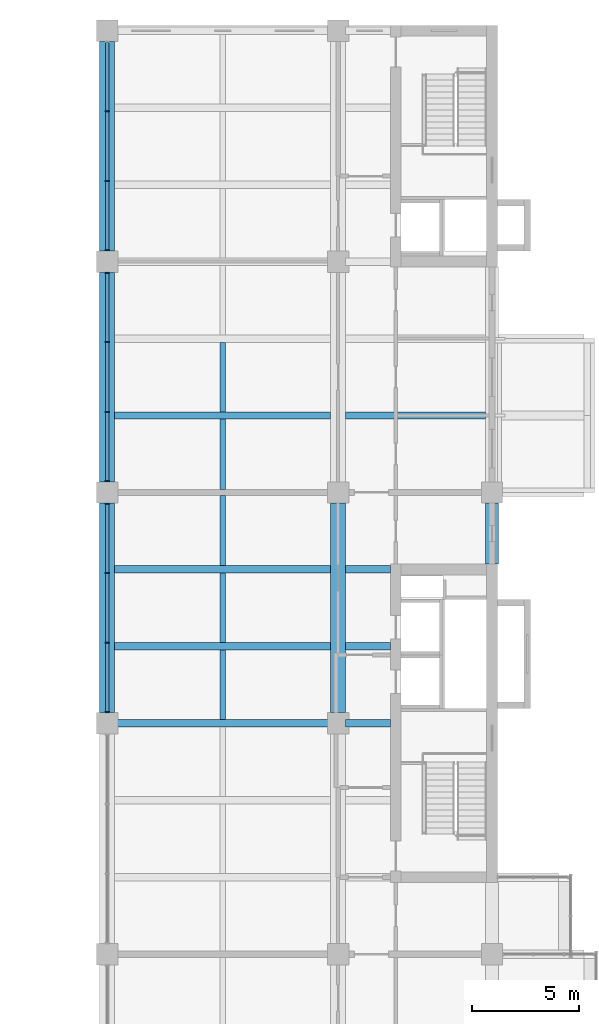
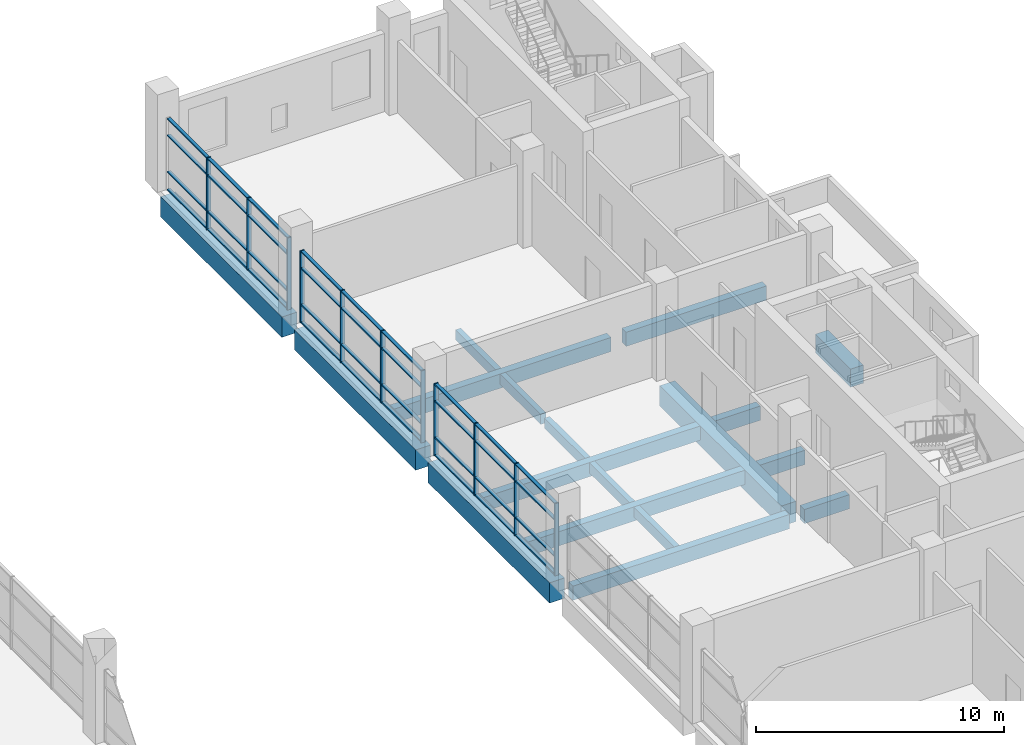
# One storey, part 11 of 30: 47 members, 18 beams, 3 elements without a shape of their own.
"""IFC4 building model written with IfcOpenShell, lengths in metres."""

from ifc_helpers import new_model, si_unit, direction, frame, origin, origin_2d, place, context, subcontext, project, spatial, rectangle, extrude, material, layer, layer_set, material_profile, profile_set, type_object, element, aggregate, save


model = new_model("IFC4")

# Units and contexts
model_context = context("Model", 3, precision=1e-05, world=origin(), true_north=direction((0.0, 1.0)))
body_context = subcontext(model_context, "Body", "Model", "MODEL_VIEW")
ifc_project = project(units=[si_unit("LENGTHUNIT", "METRE"), si_unit("AREAUNIT", "SQUARE_METRE"), si_unit("VOLUMEUNIT", "CUBIC_METRE"), si_unit("PLANEANGLEUNIT", "RADIAN"), si_unit("MASSUNIT", "GRAM", prefix="KILO")], contexts=[model_context])

# Site, building, storey
site_placement = place(None, origin())
site = spatial("IfcSite", under=ifc_project, at=site_placement, CompositionType="ELEMENT")
building_placement = place(site_placement, origin())
building = spatial("IfcBuilding", under=site, at=building_placement, Name="Basin Gate Institute", CompositionType="ELEMENT")
storey_placement = place(building_placement, frame((0.0, 0.0, 36.60009765625)))
storey = spatial("IfcBuildingStorey", under=building, at=storey_placement, Name="L07", CompositionType="ELEMENT", Elevation=36.60009765625)

# Beams
ifc_material_1 = material(Name="Concrete 40 MPa", Category="concrete")
ifc_material_profile_1 = material_profile(ifc_material_1, rectangle(XDim=0.35009765625, YDim=0.699951171875, at=origin_2d()), Name="Beam B1 350 x 700")
ifc_profile_set_1 = profile_set([ifc_material_profile_1], Name="Concrete 40 MPa")
beam_type_1 = type_object("IfcBeamType", Name="Beam B1 R120", PredefinedType="BEAM", material=ifc_profile_set_1)
beam_1_placement = place(storey_placement, frame((111.25, 67.5, -0.60009765625), z_axis=(-1.0, 0.0, 0.0), x_axis=(0.0, -1.0, 0.0)))
element("IfcBeam", 1, at=beam_1_placement, inside=storey, type_object=beam_type_1, material=ifc_profile_set_1, Name="BEAM/L07/E/EW/10", PredefinedType="BEAM", context=body_context, shape_type="SweptSolid", body=[
    extrude(rectangle(XDim=0.35009765625, YDim=0.699951171875, at=origin_2d()), origin(), (0.0, 0.0, 1.0), 10.10009765625),
])
beam_2_placement = place(storey_placement, frame((114.050048828125, 67.5, -0.60009765625), z_axis=(-1.0, 0.0, 0.0), x_axis=(0.0, -1.0, 0.0)))
element("IfcBeam", 2, at=beam_2_placement, inside=storey, type_object=beam_type_1, material=ifc_profile_set_1, Name="BEAM/L07/E/CORR/10", PredefinedType="BEAM", context=body_context, shape_type="SweptSolid", body=[
    extrude(rectangle(XDim=0.35009765625, YDim=0.699951171875, at=origin_2d()), origin(), (0.0, 0.0, 1.0), 2.10009765625),
])
beam_3_placement = place(storey_placement, frame((111.25, 71.10009765625, -0.60009765625), z_axis=(-1.0, 0.0, 0.0), x_axis=(0.0, -1.0, 0.0)))
element("IfcBeam", 3, at=beam_3_placement, inside=storey, type_object=beam_type_1, material=ifc_profile_set_1, Name="BEAM/L07/E/EW/11", PredefinedType="BEAM", context=body_context, shape_type="SweptSolid", body=[
    extrude(rectangle(XDim=0.35009765625, YDim=0.699951171875, at=origin_2d()), origin(), (0.0, 0.0, 1.0), 10.10009765625),
])
beam_4_placement = place(storey_placement, frame((114.050048828125, 71.10009765625, -0.60009765625), z_axis=(-1.0, 0.0, 0.0), x_axis=(0.0, -1.0, 0.0)))
element("IfcBeam", 4, at=beam_4_placement, inside=storey, type_object=beam_type_1, material=ifc_profile_set_1, Name="BEAM/L07/E/CORR/11", PredefinedType="BEAM", context=body_context, shape_type="SweptSolid", body=[
    extrude(rectangle(XDim=0.35009765625, YDim=0.699951171875, at=origin_2d()), origin(), (0.0, 0.0, 1.0), 2.10009765625),
])
beam_5_placement = place(storey_placement, frame((111.25, 74.699951171875, -0.60009765625), z_axis=(-1.0, 0.0, 0.0), x_axis=(0.0, -1.0, 0.0)))
element("IfcBeam", 5, at=beam_5_placement, inside=storey, type_object=beam_type_1, material=ifc_profile_set_1, Name="BEAM/L07/E/EW/12", PredefinedType="BEAM", context=body_context, shape_type="SweptSolid", body=[
    extrude(rectangle(XDim=0.35009765625, YDim=0.699951171875, at=origin_2d()), origin(), (0.0, 0.0, 1.0), 10.10009765625),
])
beam_6_placement = place(storey_placement, frame((114.050048828125, 74.699951171875, -0.60009765625), z_axis=(-1.0, 0.0, 0.0), x_axis=(0.0, -1.0, 0.0)))
element("IfcBeam", 6, at=beam_6_placement, inside=storey, type_object=beam_type_1, material=ifc_profile_set_1, Name="BEAM/L07/E/CORR/12", PredefinedType="BEAM", context=body_context, shape_type="SweptSolid", body=[
    extrude(rectangle(XDim=0.35009765625, YDim=0.699951171875, at=origin_2d()), origin(), (0.0, 0.0, 1.0), 2.10009765625),
])
beam_7_placement = place(storey_placement, frame((111.25, 81.89990234375, -0.60009765625), z_axis=(-1.0, 0.0, 0.0), x_axis=(0.0, -1.0, 0.0)))
element("IfcBeam", 7, at=beam_7_placement, inside=storey, type_object=beam_type_1, material=ifc_profile_set_1, Name="BEAM/L07/E/EW/14", PredefinedType="BEAM", context=body_context, shape_type="SweptSolid", body=[
    extrude(rectangle(XDim=0.35009765625, YDim=0.699951171875, at=origin_2d()), origin(), (0.0, 0.0, 1.0), 10.10009765625),
])
beam_8_placement = place(storey_placement, frame((118.5, 81.89990234375, -0.60009765625), z_axis=(-1.0, 0.0, 0.0), x_axis=(0.0, -1.0, 0.0)))
element("IfcBeam", 8, at=beam_8_placement, inside=storey, type_object=beam_type_1, material=ifc_profile_set_1, Name="BEAM/L07/E/OUT/14", PredefinedType="BEAM", context=body_context, shape_type="SweptSolid", body=[
    extrude(rectangle(XDim=0.35009765625, YDim=0.699951171875, at=origin_2d()), origin(), (0.0, 0.0, 1.0), 6.550048828125),
])
ifc_material_2 = material(Name="Concrete 50 MPa", Category="concrete")
ifc_material_profile_2 = material_profile(ifc_material_2, rectangle(XDim=0.60009765625, YDim=0.89990234375, at=origin_2d()), Name="Edge return beam EB3 600 x 900")
ifc_profile_set_2 = profile_set([ifc_material_profile_2], Name="Concrete 50 MPa")
beam_type_2 = type_object("IfcBeamType", Name="Edge return beam EB3 R120", PredefinedType="SPANDREL", material=ifc_profile_set_2)
beam_9_placement = place(storey_placement, frame((118.800048828125, 74.949951171875, -0.7001953125), z_axis=(0.0, 1.0, 0.0), x_axis=(-1.0, 0.0, 0.0)))
element("IfcBeam", 9, at=beam_9_placement, inside=storey, type_object=beam_type_2, material=ifc_profile_set_2, Name="BEAM/L07/E/EDGE/3", PredefinedType="SPANDREL", context=body_context, shape_type="SweptSolid", body=[
    extrude(rectangle(XDim=0.60009765625, YDim=0.89990234375, at=origin_2d()), origin(), (0.0, 0.0, 1.0), 2.85009765625),
])
ifc_material_3 = material(Name="Concrete 50 MPa", Category="concrete")
ifc_material_profile_3 = material_profile(ifc_material_3, rectangle(XDim=0.699951171875, YDim=1.0, at=origin_2d()), Name="Girder G1 700 x 1000")
ifc_profile_set_3 = profile_set([ifc_material_profile_3], Name="Concrete 50 MPa")
beam_type_3 = type_object("IfcBeamType", Name="Girder G1 R120", PredefinedType="BEAM", material=ifc_profile_set_3)
for number, where, z_axis, x_axis, name in (
    (10, (111.60009765625, 68.0, -0.75), (0.0, 1.0, 0.0), (-1.0, 0.0, 0.0), "GIR/L07/E8/4"),
    (11, (100.800048828125, 68.0, -0.75), (0.0, 1.0, 0.0), (-1.0, 0.0, 0.0), "GIR/L07/E7/4"),
    (12, (100.800048828125, 78.800048828125, -0.75), (0.0, 1.0, 0.0), (-1.0, 0.0, 0.0), "GIR/L07/E7/5"),
):
    element("IfcBeam", number, at=place(storey_placement, frame(where, z_axis=z_axis, x_axis=x_axis)), inside=storey, type_object=beam_type_3, material=ifc_profile_set_3, Name=name, PredefinedType="BEAM", context=body_context, shape_type="SweptSolid", body=[
        extrude(rectangle(XDim=0.699951171875, YDim=1.0, at=origin_2d()), origin(), (0.0, 0.0, 1.0), 9.800048828125),
    ])
beam_10_placement = place(storey_placement, frame((100.800048828125, 89.60009765625, -0.75), z_axis=(0.0, 1.0, 0.0), x_axis=(-1.0, 0.0, 0.0)))
element("IfcBeam", 13, at=beam_10_placement, inside=storey, type_object=beam_type_3, material=ifc_profile_set_3, Name="GIR/L07/E7/6", PredefinedType="BEAM", context=body_context, shape_type="SweptSolid", body=[
    extrude(rectangle(XDim=0.699951171875, YDim=1.0, at=origin_2d()), origin(), (0.0, 0.0, 1.0), 9.7998046875),
])

# Curtain wall, members
ifc_material_4 = material(Name="Aluminium-framed glazing", Category="aluminium")
ifc_layer = layer(ifc_material_4, 0.199951171875)
ifc_layer_set = layer_set([ifc_layer], Name="Atrium curtain wall CW2")
curtain_wall_type = type_object("IfcCurtainWallType", Name="Atrium curtain wall CW2", PredefinedType="NOTDEFINED", material=ifc_layer_set)
curtain_wall_1_placement = place(storey_placement, origin())
curtain_wall_1 = element("IfcCurtainWall", 14, at=curtain_wall_1_placement, inside=storey, type_object=curtain_wall_type, material=ifc_layer_set, Name="Atrium curtain wall E wing atrium bay 4 L07", PredefinedType="NOTDEFINED")
ifc_material_5 = material(Name="Aluminium", Category="aluminium")
ifc_material_profile_4 = material_profile(ifc_material_5, rectangle(XDim=0.199951171875, YDim=0.06005859375, at=origin_2d()), Name="Mullion MU2 200 x 60")
ifc_profile_set_4 = profile_set([ifc_material_profile_4], Name="Aluminium")
member_type_1 = type_object("IfcMemberType", Name="Mullion MU2", PredefinedType="MULLION", material=ifc_profile_set_4)
member_1_placement = place(storey_placement, frame((100.800048828125, 68.030029296875, 0.0), z_axis=(0.0, 0.0, 1.0), x_axis=(-1.0, 0.0, 0.0)))
member_1 = element("IfcMember", 15, at=member_1_placement, type_object=member_type_1, material=ifc_profile_set_4, Name="CW2 mullion 1", PredefinedType="MULLION", context=body_context, shape_type="SweptSolid", body=[
    extrude(rectangle(XDim=0.199951171875, YDim=0.06005859375, at=origin_2d()), origin(), (0.0, 0.0, 1.0), 3.5498046875),
])
member_2_placement = place(storey_placement, frame((100.800048828125, 71.2666015625, 0.0), z_axis=(0.0, 0.0, 1.0), x_axis=(-1.0, 0.0, 0.0)))
member_2 = element("IfcMember", 16, at=member_2_placement, type_object=member_type_1, material=ifc_profile_set_4, Name="CW2 mullion 2", PredefinedType="MULLION", context=body_context, shape_type="SweptSolid", body=[
    extrude(rectangle(XDim=0.199951171875, YDim=0.06005859375, at=origin_2d()), origin(), (0.0, 0.0, 1.0), 3.5498046875),
])
member_3_placement = place(storey_placement, frame((100.800048828125, 74.533447265625, 0.0), z_axis=(0.0, 0.0, 1.0), x_axis=(-1.0, 0.0, 0.0)))
member_3 = element("IfcMember", 17, at=member_3_placement, type_object=member_type_1, material=ifc_profile_set_4, Name="CW2 mullion 3", PredefinedType="MULLION", context=body_context, shape_type="SweptSolid", body=[
    extrude(rectangle(XDim=0.199951171875, YDim=0.06005859375, at=origin_2d()), origin(), (0.0, 0.0, 1.0), 3.5498046875),
])
member_4_placement = place(storey_placement, frame((100.800048828125, 77.77001953125, 0.0), z_axis=(0.0, 0.0, 1.0), x_axis=(-1.0, 0.0, 0.0)))
member_4 = element("IfcMember", 18, at=member_4_placement, type_object=member_type_1, material=ifc_profile_set_4, Name="CW2 mullion 4", PredefinedType="MULLION", context=body_context, shape_type="SweptSolid", body=[
    extrude(rectangle(XDim=0.199951171875, YDim=0.06005859375, at=origin_2d()), origin(), (0.0, 0.0, 1.0), 3.5498046875),
])

curtain_wall_2_placement = place(storey_placement, origin())
curtain_wall_2 = element("IfcCurtainWall", 19, at=curtain_wall_2_placement, inside=storey, type_object=curtain_wall_type, material=ifc_layer_set, Name="Atrium curtain wall E wing atrium bay 5 L07", PredefinedType="NOTDEFINED")
member_5_placement = place(storey_placement, frame((100.800048828125, 78.830078125, 0.0), z_axis=(0.0, 0.0, 1.0), x_axis=(-1.0, 0.0, 0.0)))
member_5 = element("IfcMember", 20, at=member_5_placement, type_object=member_type_1, material=ifc_profile_set_4, Name="CW2 mullion 1", PredefinedType="MULLION", context=body_context, shape_type="SweptSolid", body=[
    extrude(rectangle(XDim=0.199951171875, YDim=0.06005859375, at=origin_2d()), origin(), (0.0, 0.0, 1.0), 3.5498046875),
])
member_6_placement = place(storey_placement, frame((100.800048828125, 82.066650390625, 0.0), z_axis=(0.0, 0.0, 1.0), x_axis=(-1.0, 0.0, 0.0)))
member_6 = element("IfcMember", 21, at=member_6_placement, type_object=member_type_1, material=ifc_profile_set_4, Name="CW2 mullion 2", PredefinedType="MULLION", context=body_context, shape_type="SweptSolid", body=[
    extrude(rectangle(XDim=0.199951171875, YDim=0.06005859375, at=origin_2d()), origin(), (0.0, 0.0, 1.0), 3.5498046875),
])
member_7_placement = place(storey_placement, frame((100.800048828125, 85.333251953125, 0.0), z_axis=(0.0, 0.0, 1.0), x_axis=(-1.0, 0.0, 0.0)))
member_7 = element("IfcMember", 22, at=member_7_placement, type_object=member_type_1, material=ifc_profile_set_4, Name="CW2 mullion 3", PredefinedType="MULLION", context=body_context, shape_type="SweptSolid", body=[
    extrude(rectangle(XDim=0.199951171875, YDim=0.06005859375, at=origin_2d()), origin(), (0.0, 0.0, 1.0), 3.5498046875),
])
member_8_placement = place(storey_placement, frame((100.800048828125, 88.570068359375, 0.0), z_axis=(0.0, 0.0, 1.0), x_axis=(-1.0, 0.0, 0.0)))
member_8 = element("IfcMember", 23, at=member_8_placement, type_object=member_type_1, material=ifc_profile_set_4, Name="CW2 mullion 4", PredefinedType="MULLION", context=body_context, shape_type="SweptSolid", body=[
    extrude(rectangle(XDim=0.199951171875, YDim=0.06005859375, at=origin_2d()), origin(), (0.0, 0.0, 1.0), 3.5498046875),
])

curtain_wall_3_placement = place(storey_placement, origin())
curtain_wall_3 = element("IfcCurtainWall", 24, at=curtain_wall_3_placement, inside=storey, type_object=curtain_wall_type, material=ifc_layer_set, Name="Atrium curtain wall E wing atrium bay 6 L07", PredefinedType="NOTDEFINED")
member_9_placement = place(storey_placement, frame((100.800048828125, 89.6298828125, 0.0), z_axis=(0.0, 0.0, 1.0), x_axis=(-1.0, 0.0, 0.0)))
member_9 = element("IfcMember", 25, at=member_9_placement, type_object=member_type_1, material=ifc_profile_set_4, Name="CW2 mullion 1", PredefinedType="MULLION", context=body_context, shape_type="SweptSolid", body=[
    extrude(rectangle(XDim=0.199951171875, YDim=0.06005859375, at=origin_2d()), origin(), (0.0, 0.0, 1.0), 3.5498046875),
])
member_10_placement = place(storey_placement, frame((100.800048828125, 92.86669921875, 0.0), z_axis=(0.0, 0.0, 1.0), x_axis=(-1.0, 0.0, 0.0)))
member_10 = element("IfcMember", 26, at=member_10_placement, type_object=member_type_1, material=ifc_profile_set_4, Name="CW2 mullion 2", PredefinedType="MULLION", context=body_context, shape_type="SweptSolid", body=[
    extrude(rectangle(XDim=0.199951171875, YDim=0.06005859375, at=origin_2d()), origin(), (0.0, 0.0, 1.0), 3.5498046875),
])
member_11_placement = place(storey_placement, frame((100.800048828125, 96.13330078125, 0.0), z_axis=(0.0, 0.0, 1.0), x_axis=(-1.0, 0.0, 0.0)))
member_11 = element("IfcMember", 27, at=member_11_placement, type_object=member_type_1, material=ifc_profile_set_4, Name="CW2 mullion 3", PredefinedType="MULLION", context=body_context, shape_type="SweptSolid", body=[
    extrude(rectangle(XDim=0.199951171875, YDim=0.06005859375, at=origin_2d()), origin(), (0.0, 0.0, 1.0), 3.5498046875),
])

# Beams
ifc_material_6 = material(Name="Concrete 40 MPa", Category="concrete")
ifc_material_profile_5 = material_profile(ifc_material_6, rectangle(XDim=0.25, YDim=0.5, at=origin_2d()), Name="Rib R1 250 x 500")
ifc_profile_set_5 = profile_set([ifc_material_profile_5], Name="Concrete 40 MPa")
beam_type_4 = type_object("IfcBeamType", Name="Rib R1 R120", PredefinedType="JOIST", material=ifc_profile_set_5)
for number, where, z_axis, x_axis, name in (
    (28, (106.199951171875, 67.675048828125, -0.5), (0.0, 1.0, 0.0), (-1.0, 0.0, 0.0), "BEAM/L07/E/RIB/10"),
    (29, (106.199951171875, 71.27490234375, -0.5), (0.0, 1.0, 0.0), (-1.0, 0.0, 0.0), "BEAM/L07/E/RIB/11"),
):
    element("IfcBeam", number, at=place(storey_placement, frame(where, z_axis=z_axis, x_axis=x_axis)), inside=storey, type_object=beam_type_4, material=ifc_profile_set_5, Name=name, PredefinedType="JOIST", context=body_context, shape_type="SweptSolid", body=[
        extrude(rectangle(XDim=0.25, YDim=0.5, at=origin_2d()), origin(), (0.0, 0.0, 1.0), 3.25),
    ])
beam_11_placement = place(storey_placement, frame((106.199951171875, 74.875, -0.5), z_axis=(0.0, 1.0, 0.0), x_axis=(-1.0, 0.0, 0.0)))
element("IfcBeam", 30, at=beam_11_placement, inside=storey, type_object=beam_type_4, material=ifc_profile_set_5, Name="BEAM/L07/E/RIB/12", PredefinedType="JOIST", context=body_context, shape_type="SweptSolid", body=[
    extrude(rectangle(XDim=0.25, YDim=0.5, at=origin_2d()), origin(), (0.0, 0.0, 1.0), 3.27490234375),
])
beam_12_placement = place(storey_placement, frame((106.199951171875, 78.449951171875, -0.5), z_axis=(0.0, 1.0, 0.0), x_axis=(-1.0, 0.0, 0.0)))
element("IfcBeam", 31, at=beam_12_placement, inside=storey, type_object=beam_type_4, material=ifc_profile_set_5, Name="BEAM/L07/E/RIB/13", PredefinedType="JOIST", context=body_context, shape_type="SweptSolid", body=[
    extrude(rectangle(XDim=0.25, YDim=0.5, at=origin_2d()), origin(), (0.0, 0.0, 1.0), 3.275146484375),
])
beam_13_placement = place(storey_placement, frame((106.199951171875, 82.074951171875, -0.5), z_axis=(0.0, 1.0, 0.0), x_axis=(-1.0, 0.0, 0.0)))
element("IfcBeam", 32, at=beam_13_placement, inside=storey, type_object=beam_type_4, material=ifc_profile_set_5, Name="BEAM/L07/E/RIB/14", PredefinedType="JOIST", context=body_context, shape_type="SweptSolid", body=[
    extrude(rectangle(XDim=0.25, YDim=0.5, at=origin_2d()), origin(), (0.0, 0.0, 1.0), 3.25),
])

# Member
ifc_material_7 = material(Name="Aluminium", Category="aluminium")
ifc_material_profile_6 = material_profile(ifc_material_7, rectangle(XDim=0.14990234375, YDim=0.06005859375, at=origin_2d()), Name="Transom TR2 150 x 60")
ifc_profile_set_6 = profile_set([ifc_material_profile_6], Name="Aluminium")
member_type_2 = type_object("IfcMemberType", Name="Transom TR2", PredefinedType="USERDEFINED", material=ifc_profile_set_6)
member_12_placement = place(storey_placement, frame((100.800048828125, 68.06005859375, 0.02978515625), z_axis=(0.0, 1.0, 0.0), x_axis=(-1.0, 0.0, 0.0)))
member_12 = element("IfcMember", 33, at=member_12_placement, type_object=member_type_2, material=ifc_profile_set_6, Name="CW2 transom 1.1", ObjectType="TRANSOM", PredefinedType="USERDEFINED", context=body_context, shape_type="SweptSolid", body=[
    extrude(rectangle(XDim=0.14990234375, YDim=0.06005859375, at=origin_2d()), origin(), (0.0, 0.0, 1.0), 3.176513671875),
])

member_13_placement = place(storey_placement, frame((100.800048828125, 68.06005859375, 0.89990234375), z_axis=(0.0, 1.0, 0.0), x_axis=(-1.0, 0.0, 0.0)))
member_13 = element("IfcMember", 34, at=member_13_placement, type_object=member_type_2, material=ifc_profile_set_6, Name="CW2 transom 1.2", ObjectType="TRANSOM", PredefinedType="USERDEFINED", context=body_context, shape_type="SweptSolid", body=[
    extrude(rectangle(XDim=0.14990234375, YDim=0.06005859375, at=origin_2d()), origin(), (0.0, 0.0, 1.0), 3.176513671875),
])

member_14_placement = place(storey_placement, frame((100.800048828125, 68.06005859375, 2.699951171875), z_axis=(0.0, 1.0, 0.0), x_axis=(-1.0, 0.0, 0.0)))
member_14 = element("IfcMember", 35, at=member_14_placement, type_object=member_type_2, material=ifc_profile_set_6, Name="CW2 transom 1.3", ObjectType="TRANSOM", PredefinedType="USERDEFINED", context=body_context, shape_type="SweptSolid", body=[
    extrude(rectangle(XDim=0.14990234375, YDim=0.06005859375, at=origin_2d()), origin(), (0.0, 0.0, 1.0), 3.176513671875),
])

member_15_placement = place(storey_placement, frame((100.800048828125, 68.06005859375, 3.52001953125), z_axis=(0.0, 1.0, 0.0), x_axis=(-1.0, 0.0, 0.0)))
member_15 = element("IfcMember", 36, at=member_15_placement, type_object=member_type_2, material=ifc_profile_set_6, Name="CW2 transom 1.4", ObjectType="TRANSOM", PredefinedType="USERDEFINED", context=body_context, shape_type="SweptSolid", body=[
    extrude(rectangle(XDim=0.14990234375, YDim=0.06005859375, at=origin_2d()), origin(), (0.0, 0.0, 1.0), 3.176513671875),
])

member_16_placement = place(storey_placement, frame((100.800048828125, 71.296630859375, 0.02978515625), z_axis=(0.0, 1.0, 0.0), x_axis=(-1.0, 0.0, 0.0)))
member_16 = element("IfcMember", 37, at=member_16_placement, type_object=member_type_2, material=ifc_profile_set_6, Name="CW2 transom 2.1", ObjectType="TRANSOM", PredefinedType="USERDEFINED", context=body_context, shape_type="SweptSolid", body=[
    extrude(rectangle(XDim=0.14990234375, YDim=0.06005859375, at=origin_2d()), origin(), (0.0, 0.0, 1.0), 3.206787109375),
])

member_17_placement = place(storey_placement, frame((100.800048828125, 71.296630859375, 0.89990234375), z_axis=(0.0, 1.0, 0.0), x_axis=(-1.0, 0.0, 0.0)))
member_17 = element("IfcMember", 38, at=member_17_placement, type_object=member_type_2, material=ifc_profile_set_6, Name="CW2 transom 2.2", ObjectType="TRANSOM", PredefinedType="USERDEFINED", context=body_context, shape_type="SweptSolid", body=[
    extrude(rectangle(XDim=0.14990234375, YDim=0.06005859375, at=origin_2d()), origin(), (0.0, 0.0, 1.0), 3.206787109375),
])

member_18_placement = place(storey_placement, frame((100.800048828125, 71.296630859375, 2.699951171875), z_axis=(0.0, 1.0, 0.0), x_axis=(-1.0, 0.0, 0.0)))
member_18 = element("IfcMember", 39, at=member_18_placement, type_object=member_type_2, material=ifc_profile_set_6, Name="CW2 transom 2.3", ObjectType="TRANSOM", PredefinedType="USERDEFINED", context=body_context, shape_type="SweptSolid", body=[
    extrude(rectangle(XDim=0.14990234375, YDim=0.06005859375, at=origin_2d()), origin(), (0.0, 0.0, 1.0), 3.206787109375),
])

member_19_placement = place(storey_placement, frame((100.800048828125, 71.296630859375, 3.52001953125), z_axis=(0.0, 1.0, 0.0), x_axis=(-1.0, 0.0, 0.0)))
member_19 = element("IfcMember", 40, at=member_19_placement, type_object=member_type_2, material=ifc_profile_set_6, Name="CW2 transom 2.4", ObjectType="TRANSOM", PredefinedType="USERDEFINED", context=body_context, shape_type="SweptSolid", body=[
    extrude(rectangle(XDim=0.14990234375, YDim=0.06005859375, at=origin_2d()), origin(), (0.0, 0.0, 1.0), 3.206787109375),
])

member_20_placement = place(storey_placement, frame((100.800048828125, 74.563232421875, 0.02978515625), z_axis=(0.0, 1.0, 0.0), x_axis=(-1.0, 0.0, 0.0)))
member_20 = element("IfcMember", 41, at=member_20_placement, type_object=member_type_2, material=ifc_profile_set_6, Name="CW2 transom 3.1", ObjectType="TRANSOM", PredefinedType="USERDEFINED", context=body_context, shape_type="SweptSolid", body=[
    extrude(rectangle(XDim=0.14990234375, YDim=0.06005859375, at=origin_2d()), origin(), (0.0, 0.0, 1.0), 3.1767578125),
])

member_21_placement = place(storey_placement, frame((100.800048828125, 74.563232421875, 0.89990234375), z_axis=(0.0, 1.0, 0.0), x_axis=(-1.0, 0.0, 0.0)))
member_21 = element("IfcMember", 42, at=member_21_placement, type_object=member_type_2, material=ifc_profile_set_6, Name="CW2 transom 3.2", ObjectType="TRANSOM", PredefinedType="USERDEFINED", context=body_context, shape_type="SweptSolid", body=[
    extrude(rectangle(XDim=0.14990234375, YDim=0.06005859375, at=origin_2d()), origin(), (0.0, 0.0, 1.0), 3.1767578125),
])

member_22_placement = place(storey_placement, frame((100.800048828125, 74.563232421875, 2.699951171875), z_axis=(0.0, 1.0, 0.0), x_axis=(-1.0, 0.0, 0.0)))
member_22 = element("IfcMember", 43, at=member_22_placement, type_object=member_type_2, material=ifc_profile_set_6, Name="CW2 transom 3.3", ObjectType="TRANSOM", PredefinedType="USERDEFINED", context=body_context, shape_type="SweptSolid", body=[
    extrude(rectangle(XDim=0.14990234375, YDim=0.06005859375, at=origin_2d()), origin(), (0.0, 0.0, 1.0), 3.1767578125),
])

member_23_placement = place(storey_placement, frame((100.800048828125, 74.563232421875, 3.52001953125), z_axis=(0.0, 1.0, 0.0), x_axis=(-1.0, 0.0, 0.0)))
member_23 = element("IfcMember", 44, at=member_23_placement, type_object=member_type_2, material=ifc_profile_set_6, Name="CW2 transom 3.4", ObjectType="TRANSOM", PredefinedType="USERDEFINED", context=body_context, shape_type="SweptSolid", body=[
    extrude(rectangle(XDim=0.14990234375, YDim=0.06005859375, at=origin_2d()), origin(), (0.0, 0.0, 1.0), 3.1767578125),
])

aggregate(curtain_wall_1, [member_1, member_2, member_3, member_4, member_12, member_13, member_14, member_15, member_16, member_17, member_18, member_19, member_20, member_21, member_22, member_23])

member_24_placement = place(storey_placement, frame((100.800048828125, 78.860107421875, 0.02978515625), z_axis=(0.0, 1.0, 0.0), x_axis=(-1.0, 0.0, 0.0)))
member_24 = element("IfcMember", 45, at=member_24_placement, type_object=member_type_2, material=ifc_profile_set_6, Name="CW2 transom 1.1", ObjectType="TRANSOM", PredefinedType="USERDEFINED", context=body_context, shape_type="SweptSolid", body=[
    extrude(rectangle(XDim=0.14990234375, YDim=0.06005859375, at=origin_2d()), origin(), (0.0, 0.0, 1.0), 3.176513671875),
])

member_25_placement = place(storey_placement, frame((100.800048828125, 78.860107421875, 0.89990234375), z_axis=(0.0, 1.0, 0.0), x_axis=(-1.0, 0.0, 0.0)))
member_25 = element("IfcMember", 46, at=member_25_placement, type_object=member_type_2, material=ifc_profile_set_6, Name="CW2 transom 1.2", ObjectType="TRANSOM", PredefinedType="USERDEFINED", context=body_context, shape_type="SweptSolid", body=[
    extrude(rectangle(XDim=0.14990234375, YDim=0.06005859375, at=origin_2d()), origin(), (0.0, 0.0, 1.0), 3.176513671875),
])

member_26_placement = place(storey_placement, frame((100.800048828125, 78.860107421875, 2.699951171875), z_axis=(0.0, 1.0, 0.0), x_axis=(-1.0, 0.0, 0.0)))
member_26 = element("IfcMember", 47, at=member_26_placement, type_object=member_type_2, material=ifc_profile_set_6, Name="CW2 transom 1.3", ObjectType="TRANSOM", PredefinedType="USERDEFINED", context=body_context, shape_type="SweptSolid", body=[
    extrude(rectangle(XDim=0.14990234375, YDim=0.06005859375, at=origin_2d()), origin(), (0.0, 0.0, 1.0), 3.176513671875),
])

member_27_placement = place(storey_placement, frame((100.800048828125, 78.860107421875, 3.52001953125), z_axis=(0.0, 1.0, 0.0), x_axis=(-1.0, 0.0, 0.0)))
member_27 = element("IfcMember", 48, at=member_27_placement, type_object=member_type_2, material=ifc_profile_set_6, Name="CW2 transom 1.4", ObjectType="TRANSOM", PredefinedType="USERDEFINED", context=body_context, shape_type="SweptSolid", body=[
    extrude(rectangle(XDim=0.14990234375, YDim=0.06005859375, at=origin_2d()), origin(), (0.0, 0.0, 1.0), 3.176513671875),
])

member_28_placement = place(storey_placement, frame((100.800048828125, 82.0966796875, 0.02978515625), z_axis=(0.0, 1.0, 0.0), x_axis=(-1.0, 0.0, 0.0)))
member_28 = element("IfcMember", 49, at=member_28_placement, type_object=member_type_2, material=ifc_profile_set_6, Name="CW2 transom 2.1", ObjectType="TRANSOM", PredefinedType="USERDEFINED", context=body_context, shape_type="SweptSolid", body=[
    extrude(rectangle(XDim=0.14990234375, YDim=0.06005859375, at=origin_2d()), origin(), (0.0, 0.0, 1.0), 3.20654296875),
])

member_29_placement = place(storey_placement, frame((100.800048828125, 82.0966796875, 0.89990234375), z_axis=(0.0, 1.0, 0.0), x_axis=(-1.0, 0.0, 0.0)))
member_29 = element("IfcMember", 50, at=member_29_placement, type_object=member_type_2, material=ifc_profile_set_6, Name="CW2 transom 2.2", ObjectType="TRANSOM", PredefinedType="USERDEFINED", context=body_context, shape_type="SweptSolid", body=[
    extrude(rectangle(XDim=0.14990234375, YDim=0.06005859375, at=origin_2d()), origin(), (0.0, 0.0, 1.0), 3.20654296875),
])

member_30_placement = place(storey_placement, frame((100.800048828125, 82.0966796875, 2.699951171875), z_axis=(0.0, 1.0, 0.0), x_axis=(-1.0, 0.0, 0.0)))
member_30 = element("IfcMember", 51, at=member_30_placement, type_object=member_type_2, material=ifc_profile_set_6, Name="CW2 transom 2.3", ObjectType="TRANSOM", PredefinedType="USERDEFINED", context=body_context, shape_type="SweptSolid", body=[
    extrude(rectangle(XDim=0.14990234375, YDim=0.06005859375, at=origin_2d()), origin(), (0.0, 0.0, 1.0), 3.20654296875),
])

member_31_placement = place(storey_placement, frame((100.800048828125, 82.0966796875, 3.52001953125), z_axis=(0.0, 1.0, 0.0), x_axis=(-1.0, 0.0, 0.0)))
member_31 = element("IfcMember", 52, at=member_31_placement, type_object=member_type_2, material=ifc_profile_set_6, Name="CW2 transom 2.4", ObjectType="TRANSOM", PredefinedType="USERDEFINED", context=body_context, shape_type="SweptSolid", body=[
    extrude(rectangle(XDim=0.14990234375, YDim=0.06005859375, at=origin_2d()), origin(), (0.0, 0.0, 1.0), 3.20654296875),
])

member_32_placement = place(storey_placement, frame((100.800048828125, 85.36328125, 0.02978515625), z_axis=(0.0, 1.0, 0.0), x_axis=(-1.0, 0.0, 0.0)))
member_32 = element("IfcMember", 53, at=member_32_placement, type_object=member_type_2, material=ifc_profile_set_6, Name="CW2 transom 3.1", ObjectType="TRANSOM", PredefinedType="USERDEFINED", context=body_context, shape_type="SweptSolid", body=[
    extrude(rectangle(XDim=0.14990234375, YDim=0.06005859375, at=origin_2d()), origin(), (0.0, 0.0, 1.0), 3.1767578125),
])

member_33_placement = place(storey_placement, frame((100.800048828125, 85.36328125, 0.89990234375), z_axis=(0.0, 1.0, 0.0), x_axis=(-1.0, 0.0, 0.0)))
member_33 = element("IfcMember", 54, at=member_33_placement, type_object=member_type_2, material=ifc_profile_set_6, Name="CW2 transom 3.2", ObjectType="TRANSOM", PredefinedType="USERDEFINED", context=body_context, shape_type="SweptSolid", body=[
    extrude(rectangle(XDim=0.14990234375, YDim=0.06005859375, at=origin_2d()), origin(), (0.0, 0.0, 1.0), 3.1767578125),
])

member_34_placement = place(storey_placement, frame((100.800048828125, 85.36328125, 2.699951171875), z_axis=(0.0, 1.0, 0.0), x_axis=(-1.0, 0.0, 0.0)))
member_34 = element("IfcMember", 55, at=member_34_placement, type_object=member_type_2, material=ifc_profile_set_6, Name="CW2 transom 3.3", ObjectType="TRANSOM", PredefinedType="USERDEFINED", context=body_context, shape_type="SweptSolid", body=[
    extrude(rectangle(XDim=0.14990234375, YDim=0.06005859375, at=origin_2d()), origin(), (0.0, 0.0, 1.0), 3.1767578125),
])

member_35_placement = place(storey_placement, frame((100.800048828125, 85.36328125, 3.52001953125), z_axis=(0.0, 1.0, 0.0), x_axis=(-1.0, 0.0, 0.0)))
member_35 = element("IfcMember", 56, at=member_35_placement, type_object=member_type_2, material=ifc_profile_set_6, Name="CW2 transom 3.4", ObjectType="TRANSOM", PredefinedType="USERDEFINED", context=body_context, shape_type="SweptSolid", body=[
    extrude(rectangle(XDim=0.14990234375, YDim=0.06005859375, at=origin_2d()), origin(), (0.0, 0.0, 1.0), 3.1767578125),
])

aggregate(curtain_wall_2, [member_5, member_6, member_7, member_8, member_24, member_25, member_26, member_27, member_28, member_29, member_30, member_31, member_32, member_33, member_34, member_35])

member_36_placement = place(storey_placement, frame((100.800048828125, 89.659912109375, 0.02978515625), z_axis=(0.0, 1.0, 0.0), x_axis=(-1.0, 0.0, 0.0)))
member_36 = element("IfcMember", 57, at=member_36_placement, type_object=member_type_2, material=ifc_profile_set_6, Name="CW2 transom 1.1", ObjectType="TRANSOM", PredefinedType="USERDEFINED", context=body_context, shape_type="SweptSolid", body=[
    extrude(rectangle(XDim=0.14990234375, YDim=0.06005859375, at=origin_2d()), origin(), (0.0, 0.0, 1.0), 3.1767578125),
])

member_37_placement = place(storey_placement, frame((100.800048828125, 89.659912109375, 0.89990234375), z_axis=(0.0, 1.0, 0.0), x_axis=(-1.0, 0.0, 0.0)))
member_37 = element("IfcMember", 58, at=member_37_placement, type_object=member_type_2, material=ifc_profile_set_6, Name="CW2 transom 1.2", ObjectType="TRANSOM", PredefinedType="USERDEFINED", context=body_context, shape_type="SweptSolid", body=[
    extrude(rectangle(XDim=0.14990234375, YDim=0.06005859375, at=origin_2d()), origin(), (0.0, 0.0, 1.0), 3.1767578125),
])

member_38_placement = place(storey_placement, frame((100.800048828125, 89.659912109375, 2.699951171875), z_axis=(0.0, 1.0, 0.0), x_axis=(-1.0, 0.0, 0.0)))
member_38 = element("IfcMember", 59, at=member_38_placement, type_object=member_type_2, material=ifc_profile_set_6, Name="CW2 transom 1.3", ObjectType="TRANSOM", PredefinedType="USERDEFINED", context=body_context, shape_type="SweptSolid", body=[
    extrude(rectangle(XDim=0.14990234375, YDim=0.06005859375, at=origin_2d()), origin(), (0.0, 0.0, 1.0), 3.1767578125),
])

member_39_placement = place(storey_placement, frame((100.800048828125, 89.659912109375, 3.52001953125), z_axis=(0.0, 1.0, 0.0), x_axis=(-1.0, 0.0, 0.0)))
member_39 = element("IfcMember", 60, at=member_39_placement, type_object=member_type_2, material=ifc_profile_set_6, Name="CW2 transom 1.4", ObjectType="TRANSOM", PredefinedType="USERDEFINED", context=body_context, shape_type="SweptSolid", body=[
    extrude(rectangle(XDim=0.14990234375, YDim=0.06005859375, at=origin_2d()), origin(), (0.0, 0.0, 1.0), 3.1767578125),
])

member_40_placement = place(storey_placement, frame((100.800048828125, 92.896728515625, 0.02978515625), z_axis=(0.0, 1.0, 0.0), x_axis=(-1.0, 0.0, 0.0)))
member_40 = element("IfcMember", 61, at=member_40_placement, type_object=member_type_2, material=ifc_profile_set_6, Name="CW2 transom 2.1", ObjectType="TRANSOM", PredefinedType="USERDEFINED", context=body_context, shape_type="SweptSolid", body=[
    extrude(rectangle(XDim=0.14990234375, YDim=0.06005859375, at=origin_2d()), origin(), (0.0, 0.0, 1.0), 3.20654296875),
])

member_41_placement = place(storey_placement, frame((100.800048828125, 92.896728515625, 0.89990234375), z_axis=(0.0, 1.0, 0.0), x_axis=(-1.0, 0.0, 0.0)))
member_41 = element("IfcMember", 62, at=member_41_placement, type_object=member_type_2, material=ifc_profile_set_6, Name="CW2 transom 2.2", ObjectType="TRANSOM", PredefinedType="USERDEFINED", context=body_context, shape_type="SweptSolid", body=[
    extrude(rectangle(XDim=0.14990234375, YDim=0.06005859375, at=origin_2d()), origin(), (0.0, 0.0, 1.0), 3.20654296875),
])

member_42_placement = place(storey_placement, frame((100.800048828125, 92.896728515625, 2.699951171875), z_axis=(0.0, 1.0, 0.0), x_axis=(-1.0, 0.0, 0.0)))
member_42 = element("IfcMember", 63, at=member_42_placement, type_object=member_type_2, material=ifc_profile_set_6, Name="CW2 transom 2.3", ObjectType="TRANSOM", PredefinedType="USERDEFINED", context=body_context, shape_type="SweptSolid", body=[
    extrude(rectangle(XDim=0.14990234375, YDim=0.06005859375, at=origin_2d()), origin(), (0.0, 0.0, 1.0), 3.20654296875),
])

member_43_placement = place(storey_placement, frame((100.800048828125, 92.896728515625, 3.52001953125), z_axis=(0.0, 1.0, 0.0), x_axis=(-1.0, 0.0, 0.0)))
member_43 = element("IfcMember", 64, at=member_43_placement, type_object=member_type_2, material=ifc_profile_set_6, Name="CW2 transom 2.4", ObjectType="TRANSOM", PredefinedType="USERDEFINED", context=body_context, shape_type="SweptSolid", body=[
    extrude(rectangle(XDim=0.14990234375, YDim=0.06005859375, at=origin_2d()), origin(), (0.0, 0.0, 1.0), 3.20654296875),
])

member_44_placement = place(storey_placement, frame((100.800048828125, 96.163330078125, 0.02978515625), z_axis=(0.0, 1.0, 0.0), x_axis=(-1.0, 0.0, 0.0)))
member_44 = element("IfcMember", 65, at=member_44_placement, type_object=member_type_2, material=ifc_profile_set_6, Name="CW2 transom 3.1", ObjectType="TRANSOM", PredefinedType="USERDEFINED", context=body_context, shape_type="SweptSolid", body=[
    extrude(rectangle(XDim=0.14990234375, YDim=0.06005859375, at=origin_2d()), origin(), (0.0, 0.0, 1.0), 3.1767578125),
])

member_45_placement = place(storey_placement, frame((100.800048828125, 96.163330078125, 0.89990234375), z_axis=(0.0, 1.0, 0.0), x_axis=(-1.0, 0.0, 0.0)))
member_45 = element("IfcMember", 66, at=member_45_placement, type_object=member_type_2, material=ifc_profile_set_6, Name="CW2 transom 3.2", ObjectType="TRANSOM", PredefinedType="USERDEFINED", context=body_context, shape_type="SweptSolid", body=[
    extrude(rectangle(XDim=0.14990234375, YDim=0.06005859375, at=origin_2d()), origin(), (0.0, 0.0, 1.0), 3.1767578125),
])

member_46_placement = place(storey_placement, frame((100.800048828125, 96.163330078125, 2.699951171875), z_axis=(0.0, 1.0, 0.0), x_axis=(-1.0, 0.0, 0.0)))
member_46 = element("IfcMember", 67, at=member_46_placement, type_object=member_type_2, material=ifc_profile_set_6, Name="CW2 transom 3.3", ObjectType="TRANSOM", PredefinedType="USERDEFINED", context=body_context, shape_type="SweptSolid", body=[
    extrude(rectangle(XDim=0.14990234375, YDim=0.06005859375, at=origin_2d()), origin(), (0.0, 0.0, 1.0), 3.1767578125),
])

member_47_placement = place(storey_placement, frame((100.800048828125, 96.163330078125, 3.52001953125), z_axis=(0.0, 1.0, 0.0), x_axis=(-1.0, 0.0, 0.0)))
member_47 = element("IfcMember", 68, at=member_47_placement, type_object=member_type_2, material=ifc_profile_set_6, Name="CW2 transom 3.4", ObjectType="TRANSOM", PredefinedType="USERDEFINED", context=body_context, shape_type="SweptSolid", body=[
    extrude(rectangle(XDim=0.14990234375, YDim=0.06005859375, at=origin_2d()), origin(), (0.0, 0.0, 1.0), 3.1767578125),
])

aggregate(curtain_wall_3, [member_9, member_10, member_11, member_36, member_37, member_38, member_39, member_40, member_41, member_42, member_43, member_44, member_45, member_46, member_47])

save(model, "model.ifc")
